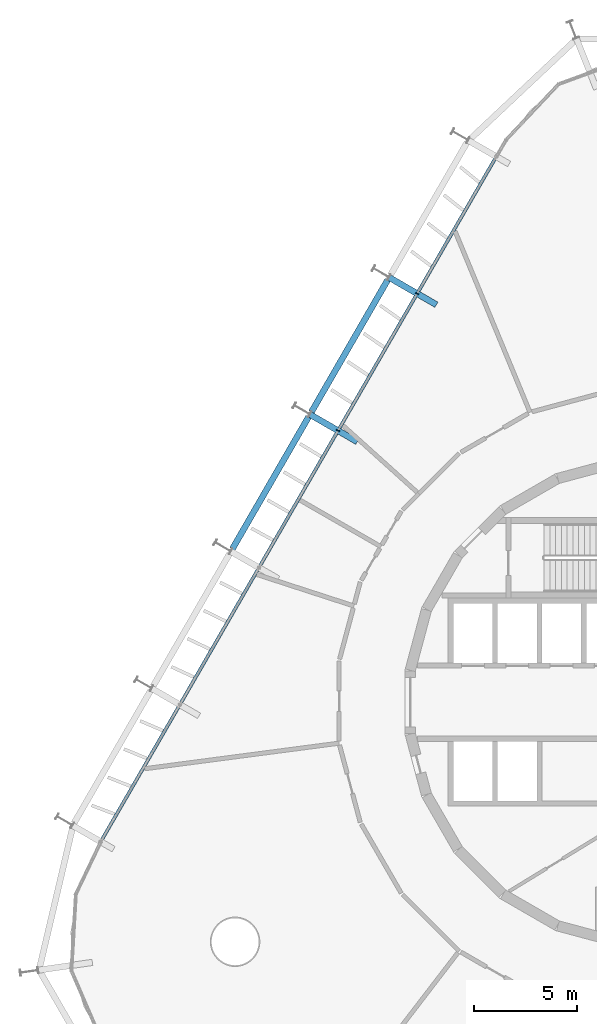
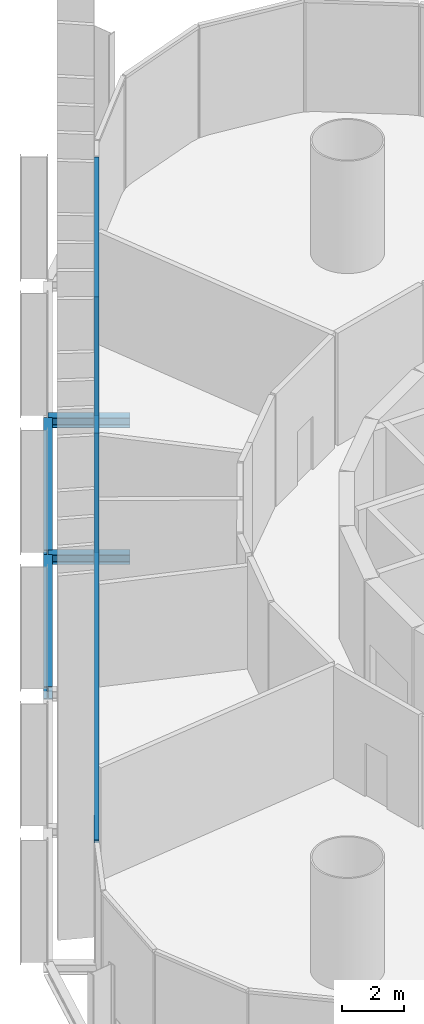
# One storey, part 8 of 17: 4 beams, 3 members, 1 element without a shape of its own.
"""IFC4 building model written with IfcOpenShell, lengths in metres."""

from ifc_helpers import new_model, si_unit, direction, frame, origin, origin_2d, place, context, subcontext, project, spatial, rectangle, i_section, extrude, material, layer, layer_set, material_profile, profile_set, type_object, element, aggregate, save


model = new_model("IFC4")

# Units and contexts
model_context = context("Model", 3, precision=1e-05, world=origin(), true_north=direction((0.0, 1.0)))
body_context = subcontext(model_context, "Body", "Model", "MODEL_VIEW")
ifc_project = project(units=[si_unit("LENGTHUNIT", "METRE"), si_unit("AREAUNIT", "SQUARE_METRE"), si_unit("VOLUMEUNIT", "CUBIC_METRE"), si_unit("PLANEANGLEUNIT", "RADIAN"), si_unit("MASSUNIT", "GRAM", prefix="KILO")], contexts=[model_context])

# Site, building, storey
site_placement = place(None, origin())
site = spatial("IfcSite", under=ifc_project, at=site_placement, CompositionType="ELEMENT")
building_placement = place(site_placement, origin())
building = spatial("IfcBuilding", under=site, at=building_placement, Name="Spindle Arch Residences", CompositionType="ELEMENT")
storey_placement = place(building_placement, frame((0.0, 0.0, 18.60009765625)))
storey = spatial("IfcBuildingStorey", under=building, at=storey_placement, Name="L03", CompositionType="ELEMENT", Elevation=18.60009765625)

# Curtain wall, members
ifc_material_1 = material(Name="Aluminium bronze unitised frame with tinted glass", Category="aluminium")
ifc_layer = layer(ifc_material_1, 0.159912109375)
ifc_layer_set = layer_set([ifc_layer], Name="CW-B amenity podium glazed wall")
curtain_wall_type = type_object("IfcCurtainWallType", Name="CW-B amenity podium glazed wall", PredefinedType="NOTDEFINED", material=ifc_layer_set)
curtain_wall_placement = place(storey_placement, origin())
curtain_wall = element("IfcCurtainWall", 1, at=curtain_wall_placement, inside=storey, type_object=curtain_wall_type, Name="CW-B L03 run 4", PredefinedType="NOTDEFINED")
ifc_material_2 = material(Name="Aluminium bronze anodised mullion", Category="aluminium")
ifc_material_profile_1 = material_profile(ifc_material_2, rectangle(XDim=0.159912109375, YDim=0.06005859375, at=origin_2d()), Name="MU 60x160")
ifc_profile_set_1 = profile_set([ifc_material_profile_1], Name="Aluminium bronze anodised mullion")
member_type_1 = type_object("IfcMemberType", Name="Bronze mullion 60x160", PredefinedType="MULLION", material=ifc_profile_set_1)
member_1_placement = place(storey_placement, frame((-11.309326171875, 19.83154296875, -0.380126953125), z_axis=(0.0, 0.0, 1.0), x_axis=(0.866025403784, -0.5, 0.0)))
member_1 = element("IfcMember", 2, at=member_1_placement, type_object=member_type_1, Name="CW-B mullion 14", PredefinedType="MULLION", context=body_context, shape_type="SweptSolid", body=[
    extrude(rectangle(XDim=0.159912109375, YDim=0.06005859375, at=origin_2d()), origin(), (0.0, 0.0, 1.0), 4.679931640625),
])
member_2_placement = place(storey_placement, frame((-15.149169921875, 13.180419921875, -0.380126953125), z_axis=(0.0, 0.0, 1.0), x_axis=(0.866025403784, -0.5, 0.0)))
member_2 = element("IfcMember", 3, at=member_2_placement, type_object=member_type_1, Name="CW-B mullion 15", PredefinedType="MULLION", context=body_context, shape_type="SweptSolid", body=[
    extrude(rectangle(XDim=0.159912109375, YDim=0.06005859375, at=origin_2d()), origin(), (0.0, 0.0, 1.0), 4.679931640625),
])
ifc_material_3 = material(Name="Aluminium bronze anodised transom", Category="aluminium")
ifc_material_profile_2 = material_profile(ifc_material_3, rectangle(XDim=0.159912109375, YDim=0.1201171875, at=origin_2d()), Name="TR 120x160")
ifc_profile_set_2 = profile_set([ifc_material_profile_2], Name="Aluminium bronze anodised transom")
member_type_2 = type_object("IfcMemberType", Name="Bronze transom 120x160", PredefinedType="USERDEFINED", material=ifc_profile_set_2)
member_3_placement = place(storey_placement, frame((-7.484130859375, 26.456787109375, 4.35986328125), z_axis=(-0.50000099666, -0.866024828362, 0.0), x_axis=(0.866024828362, -0.50000099666, 0.0)))
member_3 = element("IfcMember", 4, at=member_3_placement, type_object=member_type_2, Name="CW-B transom 00", ObjectType="TRANSOM", PredefinedType="USERDEFINED", context=body_context, shape_type="SweptSolid", body=[
    extrude(rectangle(XDim=0.159912109375, YDim=0.1201171875, at=origin_2d()), origin(), (0.0, 0.0, 1.0), 38.34033203125),
])
aggregate(curtain_wall, [member_3, member_1, member_2])

# Beams
ifc_material_4 = material(Name="Steel S460ML, intumescent coating R 120", Category="steel")
ifc_material_profile_3 = material_profile(ifc_material_4, i_section(OverallWidth=0.300048828125, OverallDepth=0.5, WebThickness=0.014404296875, FlangeThickness=0.028076171875, FilletRadius=0.027099609375, at=origin_2d()), Name="HEB 500")
ifc_profile_set_3 = profile_set([ifc_material_profile_3], Name="Steel S460ML, intumescent coating R 120")
beam_type_1 = type_object("IfcBeamType", Name="Exoskeleton edge beam HEB 500", PredefinedType="BEAM", material=ifc_profile_set_3)
beam_1_placement = place(storey_placement, frame((-12.73388671875, 20.504150390625, -0.630126953125), z_axis=(-0.49998923004, -0.866031621735, 0.0), x_axis=(0.866031621735, -0.49998923004, 0.0)))
element("IfcBeam", 5, at=beam_1_placement, inside=storey, type_object=beam_type_1, Name="Exoskeleton edge beam 15", PredefinedType="BEAM", context=body_context, shape_type="SweptSolid", body=[
    extrude(i_section(OverallWidth=0.300048828125, OverallDepth=0.5, WebThickness=0.014404296875, FlangeThickness=0.028076171875, FilletRadius=0.027099609375, at=origin_2d()), origin(), (0.0, 0.0, 1.0), 7.420166015625),
])
beam_2_placement = place(storey_placement, frame((-16.573974609375, 13.852783203125, -0.630126953125), z_axis=(-0.500003477455, -0.866023396066, 0.0), x_axis=(0.866023396066, -0.500003477455, 0.0)))
element("IfcBeam", 6, at=beam_2_placement, inside=storey, type_object=beam_type_1, Name="Exoskeleton edge beam 16", PredefinedType="BEAM", context=body_context, shape_type="SweptSolid", body=[
    extrude(i_section(OverallWidth=0.300048828125, OverallDepth=0.5, WebThickness=0.014404296875, FlangeThickness=0.028076171875, FilletRadius=0.027099609375, at=origin_2d()), origin(), (0.0, 0.0, 1.0), 7.419921875),
])
ifc_material_5 = material(Name="Steel S460ML, intumescent coating R 120", Category="steel")
ifc_material_profile_4 = material_profile(ifc_material_5, i_section(OverallWidth=0.300048828125, OverallDepth=0.389892578125, WebThickness=0.010986328125, FlangeThickness=0.01904296875, FilletRadius=0.027099609375, at=origin_2d()), Name="HEA 400")
ifc_profile_set_4 = profile_set([ifc_material_profile_4], Name="Steel S460ML, intumescent coating R 120")
beam_type_2 = type_object("IfcBeamType", Name="Floor outrigger HEA 400", PredefinedType="BEAM", material=ifc_profile_set_4)
for number, where, z_axis, x_axis, name in (
    (7, (-12.6689453125, 20.61669921875, -0.5751953125), (0.866052124492, -0.499953715521, 0.0), (0.499953715521, 0.866052124492, 0.0), "Floor outrigger 15"),
    (8, (-16.5087890625, 13.965576171875, -0.5751953125), (0.865989200783, -0.500062700197, 0.0), (0.500062700197, 0.865989200783, 0.0), "Floor outrigger 16"),
):
    element("IfcBeam", number, at=place(storey_placement, frame(where, z_axis=z_axis, x_axis=x_axis)), inside=storey, type_object=beam_type_2, Name=name, PredefinedType="BEAM", context=body_context, shape_type="SweptSolid", body=[
        extrude(i_section(OverallWidth=0.300048828125, OverallDepth=0.389892578125, WebThickness=0.010986328125, FlangeThickness=0.01904296875, FilletRadius=0.027099609375, at=origin_2d()), origin(), (0.0, 0.0, 1.0), 2.650146484375),
    ])

save(model, "model.ifc")
